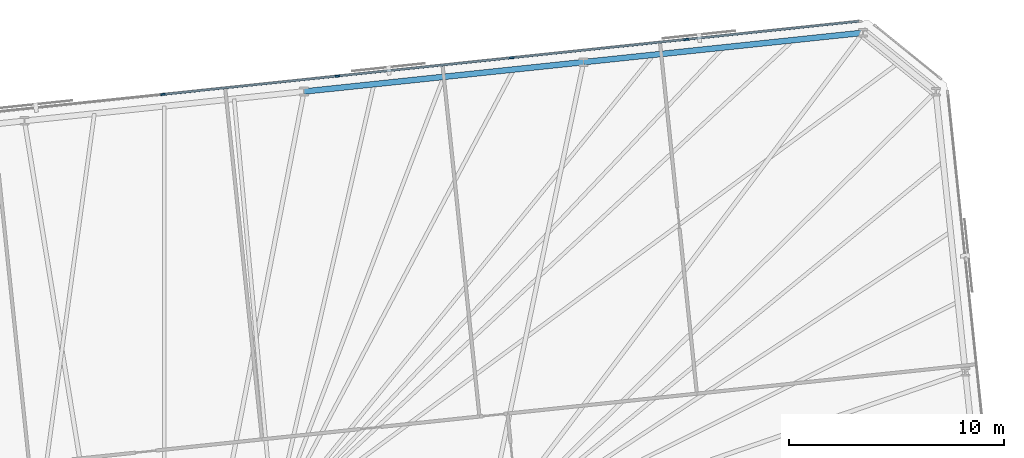
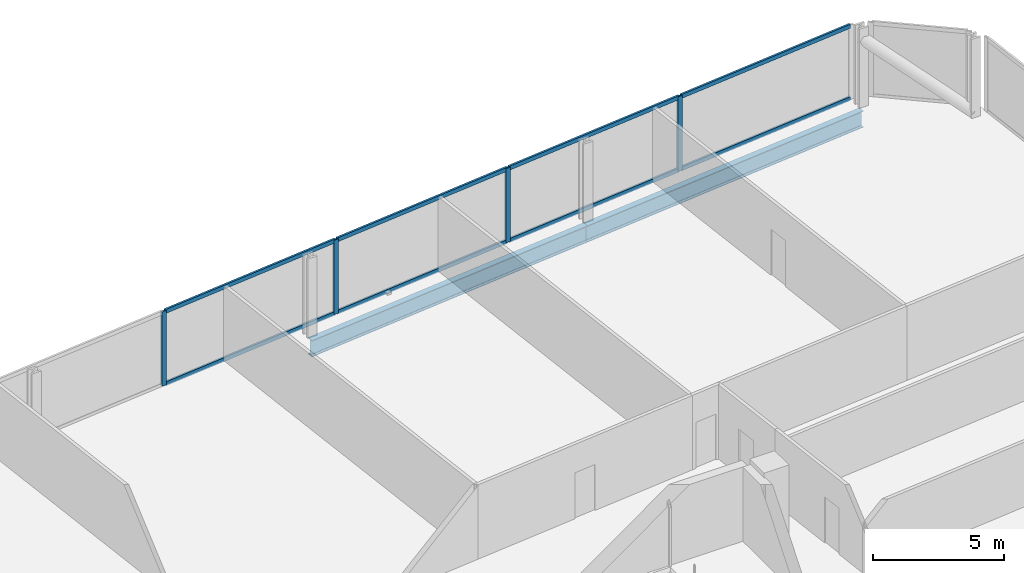
# One storey, part 11 of 18: 12 members, 2 beams, 1 element without a shape of its own.
"""IFC4 building model written with IfcOpenShell, lengths in metres."""

from ifc_helpers import new_model, si_unit, direction, frame, origin, origin_2d, place, context, subcontext, project, spatial, rectangle, i_section, extrude, material, material_profile, profile_set, type_object, element, aggregate, save


model = new_model("IFC4")

# Units and contexts
model_context = context("Model", 3, precision=1e-05, world=origin(), true_north=direction((0.0, 1.0)))
body_context = subcontext(model_context, "Body", "Model", "MODEL_VIEW")
ifc_project = project(units=[si_unit("LENGTHUNIT", "METRE"), si_unit("AREAUNIT", "SQUARE_METRE"), si_unit("VOLUMEUNIT", "CUBIC_METRE"), si_unit("PLANEANGLEUNIT", "RADIAN"), si_unit("MASSUNIT", "GRAM", prefix="KILO")], contexts=[model_context])

# Site, building, storey
site_placement = place(None, origin())
site = spatial("IfcSite", under=ifc_project, at=site_placement, CompositionType="ELEMENT")
building_placement = place(site_placement, origin())
building = spatial("IfcBuilding", under=site, at=building_placement, Name="Menara Jurai Vektor", CompositionType="ELEMENT")
storey_placement = place(building_placement, frame((0.0, 0.0, 98.5)))
storey = spatial("IfcBuildingStorey", under=building, at=storey_placement, Name="L24", CompositionType="ELEMENT", Elevation=98.5)

# Curtain wall, members
ifc_material_1 = material(Name="Anodised Pale Aluminium & Low-E Double Glazing", Category="aluminium")
curtain_wall_type = type_object("IfcCurtainWallType", Name="CW-BLK2", PredefinedType="NOTDEFINED", material=ifc_material_1)
curtain_wall_placement = place(storey_placement, origin())
curtain_wall = element("IfcCurtainWall", 1, at=curtain_wall_placement, inside=storey, type_object=curtain_wall_type, Name="Unitised Curtain Wall L24 F05", PredefinedType="NOTDEFINED")
ifc_material_2 = material(Name="Anodised Pale Aluminium Mullion", Category="aluminium")
ifc_material_profile_1 = material_profile(ifc_material_2, rectangle(XDim=0.090087890625, YDim=0.219970703125, at=origin_2d()), Name="ALU MUL 90x220")
ifc_profile_set_1 = profile_set([ifc_material_profile_1], Name="Anodised Pale Aluminium Mullion")
member_type_1 = type_object("IfcMemberType", Name="CW-BLK2-MUL", PredefinedType="MULLION", material=ifc_profile_set_1)
member_1_placement = place(storey_placement, frame((24.663330078125, 28.075927734375, 0.0), z_axis=(0.0, 0.0, 1.0), x_axis=(0.104528634935, -0.994521877325, 0.0)))
member_1 = element("IfcMember", 2, at=member_1_placement, type_object=member_type_1, Name="CW-02 mullion 2", PredefinedType="MULLION", context=body_context, shape_type="SweptSolid", body=[
    extrude(rectangle(XDim=0.090087890625, YDim=0.219970703125, at=origin_2d()), origin(), (0.0, 0.0, 1.0), 3.47509765625),
])
member_2_placement = place(storey_placement, frame((16.5654296875, 27.224853515625, 0.0), z_axis=(0.0, 0.0, 1.0), x_axis=(0.104528634935, -0.994521877325, 0.0)))
member_2 = element("IfcMember", 3, at=member_2_placement, type_object=member_type_1, Name="CW-02 mullion 3", PredefinedType="MULLION", context=body_context, shape_type="SweptSolid", body=[
    extrude(rectangle(XDim=0.090087890625, YDim=0.219970703125, at=origin_2d()), origin(), (0.0, 0.0, 1.0), 3.47509765625),
])
member_3_placement = place(storey_placement, frame((8.467529296875, 26.373779296875, 0.0), z_axis=(0.0, 0.0, 1.0), x_axis=(0.104528634935, -0.994521877325, 0.0)))
member_3 = element("IfcMember", 4, at=member_3_placement, type_object=member_type_1, Name="CW-02 mullion 4", PredefinedType="MULLION", context=body_context, shape_type="SweptSolid", body=[
    extrude(rectangle(XDim=0.090087890625, YDim=0.219970703125, at=origin_2d()), origin(), (0.0, 0.0, 1.0), 3.47509765625),
])
member_4_placement = place(storey_placement, frame((0.36962890625, 25.522705078125, 0.0), z_axis=(0.0, 0.0, 1.0), x_axis=(0.104528634935, -0.994521877325, 0.0)))
member_4 = element("IfcMember", 5, at=member_4_placement, type_object=member_type_1, Name="CW-02 mullion 5", PredefinedType="MULLION", context=body_context, shape_type="SweptSolid", body=[
    extrude(rectangle(XDim=0.090087890625, YDim=0.219970703125, at=origin_2d()), origin(), (0.0, 0.0, 1.0), 3.47509765625),
])
ifc_material_3 = material(Name="Anodised Pale Aluminium Transom", Category="aluminium")
ifc_material_profile_2 = material_profile(ifc_material_3, rectangle(XDim=0.090087890625, YDim=0.18505859375, at=origin_2d()), Name="ALU TRN 90x185")
ifc_profile_set_2 = profile_set([ifc_material_profile_2], Name="Anodised Pale Aluminium Transom")
member_type_2 = type_object("IfcMemberType", Name="CW-BLK2-TRN", PredefinedType="USERDEFINED", material=ifc_profile_set_2)
member_5_placement = place(storey_placement, frame((32.671875, 28.917724609375, 0.044921875), z_axis=(-0.994519977808, -0.104546706027, 0.0), x_axis=(0.104546706027, -0.994519977808, 0.0)))
member_5 = element("IfcMember", 6, at=member_5_placement, type_object=member_type_2, Name="CW-02 transom 1.1", ObjectType="TRANSOM", PredefinedType="USERDEFINED", context=body_context, shape_type="SweptSolid", body=[
    extrude(rectangle(XDim=0.090087890625, YDim=0.18505859375, at=origin_2d()), origin(), (0.0, 0.0, 1.0), 8.007568359375),
])
member_6_placement = place(storey_placement, frame((32.671875, 28.917724609375, 3.429931640625), z_axis=(-0.994519977808, -0.104546706027, 0.0), x_axis=(0.104546706027, -0.994519977808, 0.0)))
member_6 = element("IfcMember", 7, at=member_6_placement, type_object=member_type_2, Name="CW-02 transom 1.2", ObjectType="TRANSOM", PredefinedType="USERDEFINED", context=body_context, shape_type="SweptSolid", body=[
    extrude(rectangle(XDim=0.090087890625, YDim=0.18505859375, at=origin_2d()), origin(), (0.0, 0.0, 1.0), 8.007568359375),
])
member_7_placement = place(storey_placement, frame((24.61865234375, 28.0712890625, 0.044921875), z_axis=(-0.994520726373, -0.10453958492, 0.0), x_axis=(0.10453958492, -0.994520726373, 0.0)))
member_7 = element("IfcMember", 8, at=member_7_placement, type_object=member_type_2, Name="CW-02 transom 2.1", ObjectType="TRANSOM", PredefinedType="USERDEFINED", context=body_context, shape_type="SweptSolid", body=[
    extrude(rectangle(XDim=0.090087890625, YDim=0.18505859375, at=origin_2d()), origin(), (0.0, 0.0, 1.0), 8.052490234375),
])
member_8_placement = place(storey_placement, frame((24.61865234375, 28.0712890625, 3.429931640625), z_axis=(-0.994520726373, -0.10453958492, 0.0), x_axis=(0.10453958492, -0.994520726373, 0.0)))
member_8 = element("IfcMember", 9, at=member_8_placement, type_object=member_type_2, Name="CW-02 transom 2.2", ObjectType="TRANSOM", PredefinedType="USERDEFINED", context=body_context, shape_type="SweptSolid", body=[
    extrude(rectangle(XDim=0.090087890625, YDim=0.18505859375, at=origin_2d()), origin(), (0.0, 0.0, 1.0), 8.052490234375),
])
member_9_placement = place(storey_placement, frame((16.520751953125, 27.22021484375, 0.044921875), z_axis=(-0.994520726373, -0.10453958492, 0.0), x_axis=(0.10453958492, -0.994520726373, 0.0)))
member_9 = element("IfcMember", 10, at=member_9_placement, type_object=member_type_2, Name="CW-02 transom 3.1", ObjectType="TRANSOM", PredefinedType="USERDEFINED", context=body_context, shape_type="SweptSolid", body=[
    extrude(rectangle(XDim=0.090087890625, YDim=0.18505859375, at=origin_2d()), origin(), (0.0, 0.0, 1.0), 8.052490234375),
])
member_10_placement = place(storey_placement, frame((16.520751953125, 27.22021484375, 3.429931640625), z_axis=(-0.994520726373, -0.10453958492, 0.0), x_axis=(0.10453958492, -0.994520726373, 0.0)))
member_10 = element("IfcMember", 11, at=member_10_placement, type_object=member_type_2, Name="CW-02 transom 3.2", ObjectType="TRANSOM", PredefinedType="USERDEFINED", context=body_context, shape_type="SweptSolid", body=[
    extrude(rectangle(XDim=0.090087890625, YDim=0.18505859375, at=origin_2d()), origin(), (0.0, 0.0, 1.0), 8.052490234375),
])
member_11_placement = place(storey_placement, frame((8.4228515625, 26.369140625, 0.044921875), z_axis=(-0.994520726373, -0.10453958492, 0.0), x_axis=(0.10453958492, -0.994520726373, 0.0)))
member_11 = element("IfcMember", 12, at=member_11_placement, type_object=member_type_2, Name="CW-02 transom 4.1", ObjectType="TRANSOM", PredefinedType="USERDEFINED", context=body_context, shape_type="SweptSolid", body=[
    extrude(rectangle(XDim=0.090087890625, YDim=0.18505859375, at=origin_2d()), origin(), (0.0, 0.0, 1.0), 8.052490234375),
])
member_12_placement = place(storey_placement, frame((8.4228515625, 26.369140625, 3.429931640625), z_axis=(-0.994520726373, -0.10453958492, 0.0), x_axis=(0.10453958492, -0.994520726373, 0.0)))
member_12 = element("IfcMember", 13, at=member_12_placement, type_object=member_type_2, Name="CW-02 transom 4.2", ObjectType="TRANSOM", PredefinedType="USERDEFINED", context=body_context, shape_type="SweptSolid", body=[
    extrude(rectangle(XDim=0.090087890625, YDim=0.18505859375, at=origin_2d()), origin(), (0.0, 0.0, 1.0), 8.052490234375),
])
aggregate(curtain_wall, [member_1, member_2, member_3, member_4, member_5, member_6, member_7, member_8, member_9, member_10, member_11, member_12])

# Beams
ifc_material_4 = material(Name="Steel S460", Category="steel")
ifc_material_profile_3 = material_profile(ifc_material_4, i_section(OverallWidth=0.26806640625, OverallDepth=0.77001953125, WebThickness=0.01611328125, FlangeThickness=0.02490234375, FilletRadius=0.01708984375, at=origin_2d()), Name="UKB 762x267x197")
ifc_profile_set_3 = profile_set([ifc_material_profile_3], Name="Steel S460")
beam_type = type_object("IfcBeamType", Name="STR-SP-762", PredefinedType="SPANDREL", material=ifc_profile_set_3)
beam_1_placement = place(storey_placement, frame((32.876220703125, 28.38623046875, -0.610107421875), z_axis=(-0.994521431679, -0.104532874882, 0.0), x_axis=(0.104532874882, -0.994521431679, 0.0)))
element("IfcBeam", 14, at=beam_1_placement, inside=storey, type_object=beam_type, Name="Exoskeleton Spandrel Beam L24-11", PredefinedType="SPANDREL", context=body_context, shape_type="SweptSolid", body=[
    extrude(i_section(OverallWidth=0.26806640625, OverallDepth=0.77001953125, WebThickness=0.01611328125, FlangeThickness=0.02490234375, FilletRadius=0.01708984375, at=origin_2d()), origin(), (0.0, 0.0, 1.0), 13.051025390625),
])
beam_2_placement = place(storey_placement, frame((19.896728515625, 27.02197265625, -0.610107421875), z_axis=(-0.994521636083, -0.104530930169, 0.0), x_axis=(0.104530930169, -0.994521636083, 0.0)))
element("IfcBeam", 15, at=beam_2_placement, inside=storey, type_object=beam_type, Name="Exoskeleton Spandrel Beam L24-12", PredefinedType="SPANDREL", context=body_context, shape_type="SweptSolid", body=[
    extrude(i_section(OverallWidth=0.26806640625, OverallDepth=0.77001953125, WebThickness=0.01611328125, FlangeThickness=0.02490234375, FilletRadius=0.01708984375, at=origin_2d()), origin(), (0.0, 0.0, 1.0), 13.05126953125),
])

save(model, "model.ifc")
